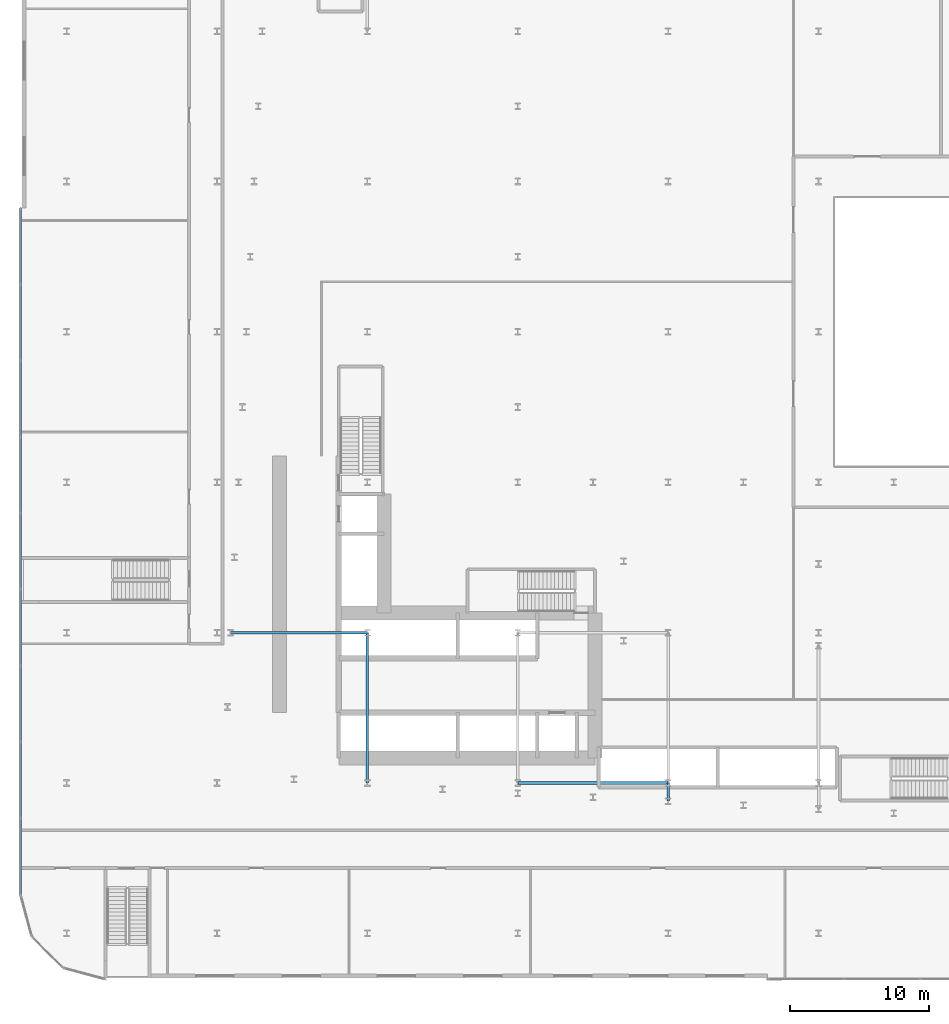
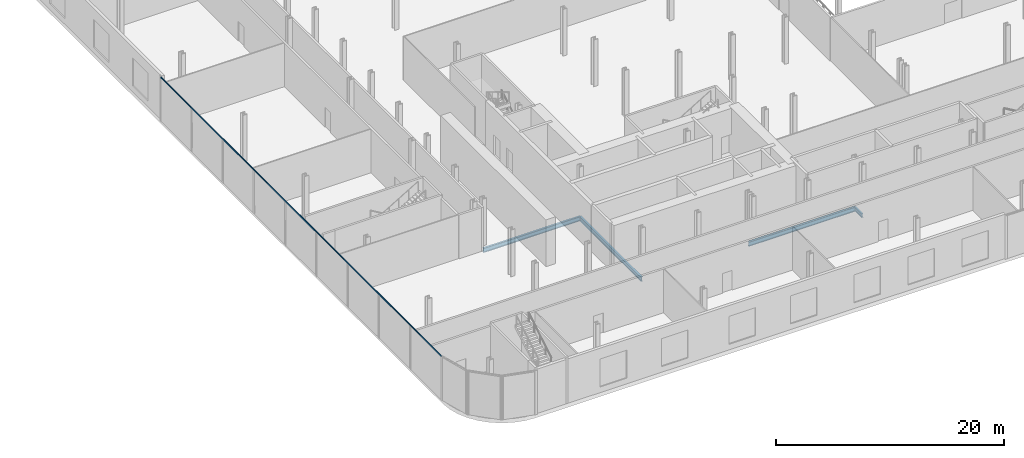
# One storey, part 6 of 47: 4 beams, 1 member, 1 element without a shape of its own.
"""IFC4 building model written with IfcOpenShell, lengths in metres."""

from ifc_helpers import new_model, si_unit, direction, frame, origin, origin_2d, place, context, subcontext, project, spatial, rectangle, i_section, extrude, material, layer, layer_set, material_profile, profile_set, type_object, element, aggregate, save


model = new_model("IFC4")

# Units and contexts
model_context = context("Model", 3, precision=1e-05, world=origin(), true_north=direction((0.0, 1.0)))
body_context = subcontext(model_context, "Body", "Model", "MODEL_VIEW")
ifc_project = project(units=[si_unit("LENGTHUNIT", "METRE"), si_unit("AREAUNIT", "SQUARE_METRE"), si_unit("VOLUMEUNIT", "CUBIC_METRE"), si_unit("PLANEANGLEUNIT", "RADIAN"), si_unit("MASSUNIT", "GRAM", prefix="KILO")], contexts=[model_context])

# Site, building, storey
site_placement = place(None, origin())
site = spatial("IfcSite", under=ifc_project, at=site_placement, CompositionType="ELEMENT")
building_placement = place(site_placement, origin())
building = spatial("IfcBuilding", under=site, at=building_placement, Name="Kheshtan School and Residences Tower", CompositionType="ELEMENT")
storey_placement = place(building_placement, frame((0.0, 0.0, 7.5)))
storey = spatial("IfcBuildingStorey", under=building, at=storey_placement, Name="L01", CompositionType="ELEMENT", Elevation=7.5)

# Beams
ifc_material_1 = material(Name="Steel ASTM A992 Grade 50", Category="steel")
ifc_material_profile_1 = material_profile(ifc_material_1, i_section(OverallWidth=0.180908203125, OverallDepth=0.4169921875, WebThickness=0.010986328125, FlangeThickness=0.018310546875, FilletRadius=0.012451171875, at=origin_2d()), Name="W410x85")
ifc_profile_set_1 = profile_set([ifc_material_profile_1], Name="Steel ASTM A992 Grade 50")
beam_type_1 = type_object("IfcBeamType", Name="Beam PB1 W410x85 ASTM A992 Grade 50", PredefinedType="BEAM", material=ifc_profile_set_1)
beam_1_placement = place(storey_placement, frame((58.39990234375, 22.699951171875, -0.62841796875), z_axis=(0.0, 1.0, 0.0), x_axis=(-1.0, 0.0, 0.0)))
element("IfcBeam", 1, at=beam_1_placement, inside=storey, type_object=beam_type_1, Name="Podium floor beam PB1", PredefinedType="BEAM", context=body_context, shape_type="SweptSolid", body=[
    extrude(i_section(OverallWidth=0.180908203125, OverallDepth=0.4169921875, WebThickness=0.010986328125, FlangeThickness=0.018310546875, FilletRadius=0.012451171875, at=origin_2d()), origin(), (0.0, 0.0, 1.0), 1.300048828125),
])
ifc_material_profile_2 = material_profile(ifc_material_1, i_section(OverallWidth=0.194091796875, OverallDepth=0.468994140625, WebThickness=0.0126953125, FlangeThickness=0.0205078125, FilletRadius=0.01416015625, at=origin_2d()), Name="W460x106")
ifc_profile_set_2 = profile_set([ifc_material_profile_2], Name="Steel ASTM A992 Grade 50")
beam_type_2 = type_object("IfcBeamType", Name="Beam PB2 W460x106 ASTM A992 Grade 50", PredefinedType="BEAM", material=ifc_profile_set_2)
beam_2_placement = place(storey_placement, frame((36.800048828125, 24.0, -0.654541015625), z_axis=(0.0, 1.0, 0.0), x_axis=(-1.0, 0.0, 0.0)))
element("IfcBeam", 2, at=beam_2_placement, inside=storey, type_object=beam_type_2, Name="Podium floor beam PB2", PredefinedType="BEAM", context=body_context, shape_type="SweptSolid", body=[
    extrude(i_section(OverallWidth=0.194091796875, OverallDepth=0.468994140625, WebThickness=0.0126953125, FlangeThickness=0.0205078125, FilletRadius=0.01416015625, at=origin_2d()), origin(), (0.0, 0.0, 1.0), 10.800048828125),
])
beam_3_placement = place(storey_placement, frame((47.60009765625, 24.0, -0.654541015625), z_axis=(1.0, 0.0, 0.0), x_axis=(0.0, 1.0, 0.0)))
element("IfcBeam", 3, at=beam_3_placement, inside=storey, type_object=beam_type_2, Name="Podium floor beam PB2", PredefinedType="BEAM", context=body_context, shape_type="SweptSolid", body=[
    extrude(i_section(OverallWidth=0.194091796875, OverallDepth=0.468994140625, WebThickness=0.0126953125, FlangeThickness=0.0205078125, FilletRadius=0.01416015625, at=origin_2d()), origin(), (0.0, 0.0, 1.0), 10.7998046875),
])
beam_4_placement = place(storey_placement, frame((26.969970703125, 34.800048828125, -0.654541015625), z_axis=(1.0, 0.0, 0.0), x_axis=(0.0, 1.0, 0.0)))
element("IfcBeam", 4, at=beam_4_placement, inside=storey, type_object=beam_type_2, Name="Podium floor beam PB2", PredefinedType="BEAM", context=body_context, shape_type="SweptSolid", body=[
    extrude(i_section(OverallWidth=0.194091796875, OverallDepth=0.468994140625, WebThickness=0.0126953125, FlangeThickness=0.0205078125, FilletRadius=0.01416015625, at=origin_2d()), origin(), (0.0, 0.0, 1.0), 9.830078125),
])

# Curtain wall, member
ifc_material_2 = material(Name="Clear low-e glass in thermally broken aluminium frame", Category="aluminium")
ifc_layer = layer(ifc_material_2, 0.22509765625)
ifc_layer_set = layer_set([ifc_layer], Name="Curtain wall CW-P")
curtain_wall_type = type_object("IfcCurtainWallType", Name="Curtain wall CW-P", PredefinedType="NOTDEFINED", material=ifc_layer_set)
curtain_wall_placement = place(storey_placement, origin())
curtain_wall = element("IfcCurtainWall", 5, at=curtain_wall_placement, inside=storey, type_object=curtain_wall_type, Name="Curtain wall CWP16", PredefinedType="NOTDEFINED")
ifc_material_3 = material(Name="Thermally broken aluminium, dark bronze anodised", Category="aluminium")
ifc_material_profile_3 = material_profile(ifc_material_3, rectangle(XDim=0.06005859375, YDim=0.139892578125, at=origin_2d()), Name="CW-P transom 60x140")
ifc_profile_set_3 = profile_set([ifc_material_profile_3], Name="Thermally broken aluminium, dark bronze anodised")
member_type = type_object("IfcMemberType", Name="CW-P transom 60x140", PredefinedType="USERDEFINED", material=ifc_profile_set_3)
member_placement = place(storey_placement, frame((11.89990234375, 15.97509765625, 4.679931640625), z_axis=(0.0, 1.0, 0.0), x_axis=(-1.0, 0.0, 0.0)))
member = element("IfcMember", 6, at=member_placement, type_object=member_type, Name="CWP16 transom 1", ObjectType="TRANSOM", PredefinedType="USERDEFINED", context=body_context, shape_type="SweptSolid", body=[
    extrude(rectangle(XDim=0.06005859375, YDim=0.139892578125, at=origin_2d()), origin(), (0.0, 0.0, 1.0), 49.244873046875),
])
aggregate(curtain_wall, [member])

save(model, "model.ifc")
